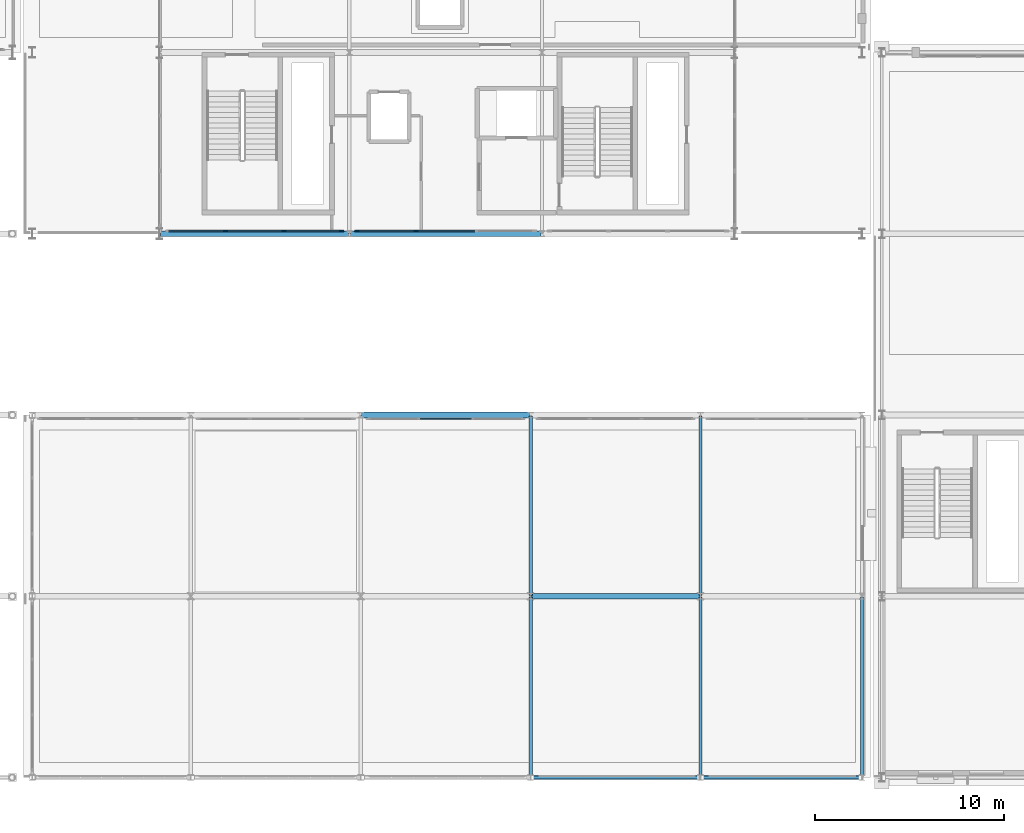
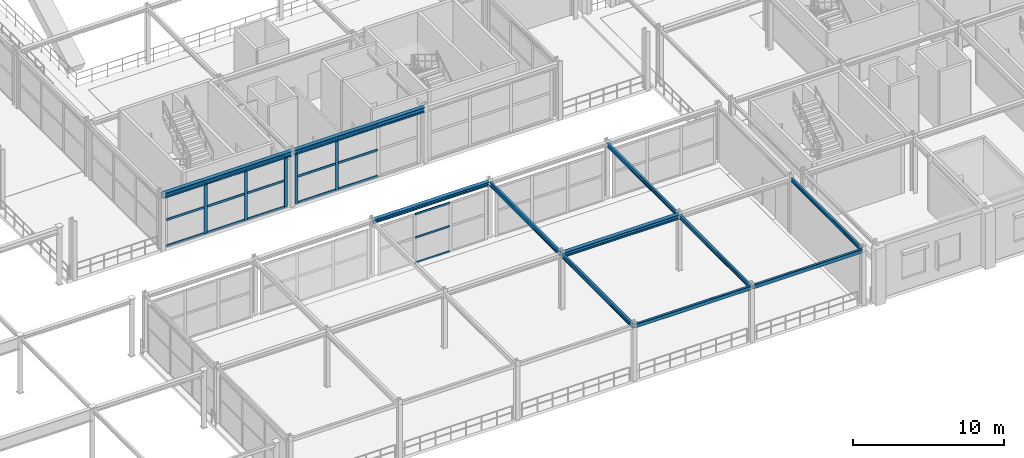
# One storey, part 33 of 125: 23 members, 11 beams, 3 elements without a shape of their own.
"""IFC4 building model written with IfcOpenShell, lengths in metres."""

from ifc_helpers import new_model, si_unit, direction, frame, origin, origin_2d, place, context, subcontext, project, spatial, rectangle, hollow_rectangle, i_section, extrude, material, layer, layer_set, material_profile, profile_set, type_object, element, aggregate, save


model = new_model("IFC4")

# Units and contexts
model_context = context("Model", 3, precision=1e-05, world=origin(), true_north=direction((0.0, 1.0)))
body_context = subcontext(model_context, "Body", "Model", "MODEL_VIEW")
ifc_project = project(units=[si_unit("LENGTHUNIT", "METRE"), si_unit("AREAUNIT", "SQUARE_METRE"), si_unit("VOLUMEUNIT", "CUBIC_METRE"), si_unit("PLANEANGLEUNIT", "RADIAN"), si_unit("MASSUNIT", "GRAM", prefix="KILO")], contexts=[model_context])

# Site, building, storey
site_placement = place(None, origin())
site = spatial("IfcSite", under=ifc_project, at=site_placement, CompositionType="ELEMENT")
building_placement = place(site_placement, origin())
building = spatial("IfcBuilding", under=site, at=building_placement, Name="Myrtia Square Station", CompositionType="ELEMENT")
storey_placement = place(building_placement, frame((0.0, 0.0, 6.0)))
storey = spatial("IfcBuildingStorey", under=building, at=storey_placement, Name="L01", CompositionType="ELEMENT", Elevation=6.0)

# Beams
ifc_material_1 = material(Name="Steel S355", Category="steel")
ifc_material_profile_1 = material_profile(ifc_material_1, i_section(OverallWidth=0.300048828125, OverallDepth=0.300048828125, WebThickness=0.010986328125, FlangeThickness=0.01904296875, FilletRadius=0.027099609375, at=origin_2d()), Name="HEB 300")
ifc_profile_set_1 = profile_set([ifc_material_profile_1], Name="Steel S355")
beam_type_1 = type_object("IfcBeamType", Name="BM-HEB300", PredefinedType="BEAM", material=ifc_profile_set_1)
beam_1_placement = place(storey_placement, frame((90.050048828125, 19.199951171875, 4.385009765625), z_axis=(1.0, 0.0, 0.0), x_axis=(0.0, 1.0, 0.0)))
element("IfcBeam", 1, at=beam_1_placement, inside=storey, type_object=beam_type_1, Name="Structural girder BMX-L01-0588", PredefinedType="BEAM", context=body_context, shape_type="SweptSolid", body=[
    extrude(i_section(OverallWidth=0.300048828125, OverallDepth=0.300048828125, WebThickness=0.010986328125, FlangeThickness=0.01904296875, FilletRadius=0.027099609375, at=origin_2d()), origin(), (0.0, 0.0, 1.0), 8.89990234375),
])
ifc_material_profile_2 = material_profile(ifc_material_1, i_section(OverallWidth=0.300048828125, OverallDepth=0.360107421875, WebThickness=0.012451171875, FlangeThickness=0.0224609375, FilletRadius=0.027099609375, at=origin_2d()), Name="HEB 360")
ifc_profile_set_2 = profile_set([ifc_material_profile_2], Name="Steel S355")
beam_type_2 = type_object("IfcBeamType", Name="BM-HEB360", PredefinedType="BEAM", material=ifc_profile_set_2)
beam_2_placement = place(storey_placement, frame((99.050048828125, 9.60009765625, 4.35498046875), z_axis=(1.0, 0.0, 0.0), x_axis=(0.0, 1.0, 0.0)))
element("IfcBeam", 2, at=beam_2_placement, inside=storey, type_object=beam_type_2, Name="Structural girder BMX-L01-0577", PredefinedType="BEAM", context=body_context, shape_type="SweptSolid", body=[
    extrude(i_section(OverallWidth=0.300048828125, OverallDepth=0.360107421875, WebThickness=0.012451171875, FlangeThickness=0.0224609375, FilletRadius=0.027099609375, at=origin_2d()), origin(), (0.0, 0.0, 1.0), 8.89990234375),
])
ifc_material_profile_3 = material_profile(ifc_material_1, i_section(OverallWidth=0.300048828125, OverallDepth=0.39990234375, WebThickness=0.013427734375, FlangeThickness=0.02392578125, FilletRadius=0.027099609375, at=origin_2d()), Name="HEB 400")
ifc_profile_set_3 = profile_set([ifc_material_profile_3], Name="Steel S355")
beam_type_3 = type_object("IfcBeamType", Name="BM-HEB400", PredefinedType="BEAM", material=ifc_profile_set_3)
beam_3_placement = place(storey_placement, frame((79.39990234375, 28.800048828125, 4.35009765625), z_axis=(1.0, 0.0, 0.0), x_axis=(0.0, 1.0, 0.0)))
element("IfcBeam", 3, at=beam_3_placement, inside=storey, type_object=beam_type_3, Name="Structural girder BMX-L01-0534", PredefinedType="BEAM", context=body_context, shape_type="SweptSolid", body=[
    extrude(i_section(OverallWidth=0.300048828125, OverallDepth=0.39990234375, WebThickness=0.013427734375, FlangeThickness=0.02392578125, FilletRadius=0.027099609375, at=origin_2d()), origin(), (0.0, 0.0, 1.0), 9.9501953125),
])
beam_4_placement = place(storey_placement, frame((89.449951171875, 28.800048828125, 4.35009765625), z_axis=(1.0, 0.0, 0.0), x_axis=(0.0, 1.0, 0.0)))
element("IfcBeam", 4, at=beam_4_placement, inside=storey, type_object=beam_type_3, Name="Structural girder BMX-L01-0535", PredefinedType="BEAM", context=body_context, shape_type="SweptSolid", body=[
    extrude(i_section(OverallWidth=0.300048828125, OverallDepth=0.39990234375, WebThickness=0.013427734375, FlangeThickness=0.02392578125, FilletRadius=0.027099609375, at=origin_2d()), origin(), (0.0, 0.0, 1.0), 10.10009765625),
])
ifc_material_profile_4 = material_profile(ifc_material_1, i_section(OverallWidth=0.14990234375, OverallDepth=0.300048828125, WebThickness=0.007080078125, FlangeThickness=0.0107421875, FilletRadius=0.014892578125, at=origin_2d()), Name="IPE 300")
ifc_profile_set_4 = profile_set([ifc_material_profile_4], Name="Steel S355")
beam_type_4 = type_object("IfcBeamType", Name="BM-IPE300", PredefinedType="BEAM", material=ifc_profile_set_4)
beam_5_placement = place(storey_placement, frame((116.550048828125, 0.050048828125, 4.385009765625), z_axis=(0.0, 1.0, 0.0), x_axis=(-1.0, 0.0, 0.0)))
element("IfcBeam", 5, at=beam_5_placement, inside=storey, type_object=beam_type_4, Name="Structural girder BMY-L01-0610", PredefinedType="BEAM", context=body_context, shape_type="SweptSolid", body=[
    extrude(i_section(OverallWidth=0.14990234375, OverallDepth=0.300048828125, WebThickness=0.007080078125, FlangeThickness=0.0107421875, FilletRadius=0.014892578125, at=origin_2d()), origin(), (0.0, 0.0, 1.0), 9.5),
])
ifc_material_profile_5 = material_profile(ifc_material_1, i_section(OverallWidth=0.159912109375, OverallDepth=0.330078125, WebThickness=0.007568359375, FlangeThickness=0.011474609375, FilletRadius=0.01806640625, at=origin_2d()), Name="IPE 330")
ifc_profile_set_5 = profile_set([ifc_material_profile_5], Name="Steel S355")
beam_type_5 = type_object("IfcBeamType", Name="BM-IPE330", PredefinedType="BEAM", material=ifc_profile_set_5)
for number, where, z_axis, x_axis, name in (
    (6, (108.0, 0.050048828125, 4.3701171875), (0.0, 1.0, 0.0), (-1.0, 0.0, 0.0), "Structural girder BMY-L01-0608"),
    (7, (108.0, 9.64990234375, 4.3701171875), (0.0, 1.0, 0.0), (-1.0, 0.0, 0.0), "Structural girder BMY-L01-0609"),
):
    element("IfcBeam", number, at=place(storey_placement, frame(where, z_axis=z_axis, x_axis=x_axis)), inside=storey, type_object=beam_type_5, Name=name, PredefinedType="BEAM", context=body_context, shape_type="SweptSolid", body=[
        extrude(i_section(OverallWidth=0.159912109375, OverallDepth=0.330078125, WebThickness=0.007568359375, FlangeThickness=0.011474609375, FilletRadius=0.01806640625, at=origin_2d()), origin(), (0.0, 0.0, 1.0), 9.5),
    ])
ifc_material_profile_6 = material_profile(ifc_material_1, i_section(OverallWidth=0.169921875, OverallDepth=0.360107421875, WebThickness=0.008056640625, FlangeThickness=0.0126953125, FilletRadius=0.01806640625, at=origin_2d()), Name="IPE 360")
ifc_profile_set_6 = profile_set([ifc_material_profile_6], Name="Steel S355")
beam_type_6 = type_object("IfcBeamType", Name="BM-IPE360", PredefinedType="BEAM", material=ifc_profile_set_6)
for number, where, z_axis, x_axis, name in (
    (8, (99.0, 0.050048828125, 4.35498046875), (0.0, 1.0, 0.0), (-1.0, 0.0, 0.0), "Structural girder BMY-L01-0606"),
    (9, (99.0, 9.64990234375, 4.35498046875), (0.0, 1.0, 0.0), (-1.0, 0.0, 0.0), "Structural girder BMY-L01-0607"),
):
    element("IfcBeam", number, at=place(storey_placement, frame(where, z_axis=z_axis, x_axis=x_axis)), inside=storey, type_object=beam_type_6, Name=name, PredefinedType="BEAM", context=body_context, shape_type="SweptSolid", body=[
        extrude(i_section(OverallWidth=0.169921875, OverallDepth=0.360107421875, WebThickness=0.008056640625, FlangeThickness=0.0126953125, FilletRadius=0.01806640625, at=origin_2d()), origin(), (0.0, 0.0, 1.0), 9.5),
    ])

# Curtain wall, members
ifc_material_2 = material(Name="Dark bronze anodised aluminium", Category="aluminium")
ifc_layer_1 = layer(ifc_material_2, 0.159912109375, Name="Dark bronze anodised aluminium")
ifc_layer_set_1 = layer_set([ifc_layer_1], Name="Dark bronze anodised aluminium")
curtain_wall_type_1 = type_object("IfcCurtainWallType", Name="CW-TYPE-09-928x415", PredefinedType="USERDEFINED", material=ifc_layer_set_1)
curtain_wall_1_placement = place(storey_placement, origin())
curtain_wall_1 = element("IfcCurtainWall", 10, at=curtain_wall_1_placement, inside=storey, type_object=curtain_wall_type_1, Name="Concourse curtain wall CW-L01-041", ObjectType="CONCOURSE CURTAIN WALL", PredefinedType="USERDEFINED")
ifc_material_profile_7 = material_profile(ifc_material_2, rectangle(XDim=0.074951171875, YDim=0.239990234375, at=origin_2d()), Name="ALU-M 75x240")
ifc_profile_set_7 = profile_set([ifc_material_profile_7], Name="Dark bronze anodised aluminium")
member_type_1 = type_object("IfcMemberType", Name="CWM-75x240", PredefinedType="MULLION", material=ifc_profile_set_7)
member_1_placement = place(storey_placement, frame((82.84326171875, 28.949951171875, 0.0), z_axis=(0.0, 0.0, 1.0), x_axis=(0.0, 1.0, 0.0)))
member_1 = element("IfcMember", 11, at=member_1_placement, type_object=member_type_1, Name="CW-041 mullion 2", PredefinedType="MULLION", context=body_context, shape_type="SweptSolid", body=[
    extrude(rectangle(XDim=0.074951171875, YDim=0.239990234375, at=origin_2d()), origin(), (0.0, 0.0, 1.0), 4.14990234375),
])
member_2_placement = place(storey_placement, frame((85.936767578125, 28.949951171875, 0.0), z_axis=(0.0, 0.0, 1.0), x_axis=(0.0, 1.0, 0.0)))
member_2 = element("IfcMember", 12, at=member_2_placement, type_object=member_type_1, Name="CW-041 mullion 3", PredefinedType="MULLION", context=body_context, shape_type="SweptSolid", body=[
    extrude(rectangle(XDim=0.074951171875, YDim=0.239990234375, at=origin_2d()), origin(), (0.0, 0.0, 1.0), 4.14990234375),
])
member_3_placement = place(storey_placement, frame((88.992431640625, 28.949951171875, 0.0), z_axis=(0.0, 0.0, 1.0), x_axis=(0.0, 1.0, 0.0)))
member_3 = element("IfcMember", 13, at=member_3_placement, type_object=member_type_1, Name="CW-041 mullion 4", PredefinedType="MULLION", context=body_context, shape_type="SweptSolid", body=[
    extrude(rectangle(XDim=0.074951171875, YDim=0.239990234375, at=origin_2d()), origin(), (0.0, 0.0, 1.0), 4.14990234375),
])

ifc_layer_2 = layer(ifc_material_2, 0.159912109375, Name="Dark bronze anodised aluminium")
ifc_layer_set_2 = layer_set([ifc_layer_2], Name="Dark bronze anodised aluminium")
curtain_wall_type_2 = type_object("IfcCurtainWallType", Name="CW-TYPE-10-946x415", PredefinedType="USERDEFINED", material=ifc_layer_set_2)
curtain_wall_2_placement = place(storey_placement, origin())
curtain_wall_2 = element("IfcCurtainWall", 14, at=curtain_wall_2_placement, inside=storey, type_object=curtain_wall_type_2, Name="Concourse curtain wall CW-L01-043", ObjectType="CONCOURSE CURTAIN WALL", PredefinedType="USERDEFINED")
member_4_placement = place(storey_placement, frame((89.8076171875, 28.949951171875, 0.0), z_axis=(0.0, 0.0, 1.0), x_axis=(0.0, 1.0, 0.0)))
member_4 = element("IfcMember", 15, at=member_4_placement, type_object=member_type_1, Name="CW-043 mullion 1", PredefinedType="MULLION", context=body_context, shape_type="SweptSolid", body=[
    extrude(rectangle(XDim=0.074951171875, YDim=0.239990234375, at=origin_2d()), origin(), (0.0, 0.0, 1.0), 4.14990234375),
])
member_5_placement = place(storey_placement, frame((92.92333984375, 28.949951171875, 0.0), z_axis=(0.0, 0.0, 1.0), x_axis=(0.0, 1.0, 0.0)))
member_5 = element("IfcMember", 16, at=member_5_placement, type_object=member_type_1, Name="CW-043 mullion 2", PredefinedType="MULLION", context=body_context, shape_type="SweptSolid", body=[
    extrude(rectangle(XDim=0.074951171875, YDim=0.239990234375, at=origin_2d()), origin(), (0.0, 0.0, 1.0), 4.14990234375),
])

ifc_layer_3 = layer(ifc_material_2, 0.159912109375, Name="Dark bronze anodised aluminium")
ifc_layer_set_3 = layer_set([ifc_layer_3], Name="Dark bronze anodised aluminium")
curtain_wall_type_3 = type_object("IfcCurtainWallType", Name="CW-TYPE-32-826x400", PredefinedType="USERDEFINED", material=ifc_layer_set_3)
curtain_wall_3_placement = place(storey_placement, origin())
curtain_wall_3 = element("IfcCurtainWall", 17, at=curtain_wall_3_placement, inside=storey, type_object=curtain_wall_type_3, Name="Concourse curtain wall CW-L01-107", ObjectType="CONCOURSE CURTAIN WALL", PredefinedType="USERDEFINED")
ifc_material_profile_8 = material_profile(ifc_material_2, rectangle(XDim=0.06494140625, YDim=0.14990234375, at=origin_2d()), Name="ALU-T 65x150")
ifc_profile_set_8 = profile_set([ifc_material_profile_8], Name="Dark bronze anodised aluminium")
member_type_2 = type_object("IfcMemberType", Name="CWT-65x150", PredefinedType="USERDEFINED", material=ifc_profile_set_8)
member_6_placement = place(storey_placement, frame((93.15576171875, 19.0, 0.032470703125), z_axis=(1.0, 0.0, 0.0), x_axis=(0.0, 1.0, 0.0)))
member_6 = element("IfcMember", 18, at=member_6_placement, type_object=member_type_2, Name="CW-107 transom 2.1", ObjectType="TRANSOM", PredefinedType="USERDEFINED", context=body_context, shape_type="SweptSolid", body=[
    extrude(rectangle(XDim=0.06494140625, YDim=0.14990234375, at=origin_2d()), origin(), (0.0, 0.0, 1.0), 2.6884765625),
])
member_7_placement = place(storey_placement, frame((93.15576171875, 19.0, 2.080078125), z_axis=(1.0, 0.0, 0.0), x_axis=(0.0, 1.0, 0.0)))
member_7 = element("IfcMember", 19, at=member_7_placement, type_object=member_type_2, Name="CW-107 transom 2.2", ObjectType="TRANSOM", PredefinedType="USERDEFINED", context=body_context, shape_type="SweptSolid", body=[
    extrude(rectangle(XDim=0.06494140625, YDim=0.14990234375, at=origin_2d()), origin(), (0.0, 0.0, 1.0), 2.6884765625),
])
member_8_placement = place(storey_placement, frame((93.15576171875, 19.0, 3.967529296875), z_axis=(1.0, 0.0, 0.0), x_axis=(0.0, 1.0, 0.0)))
member_8 = element("IfcMember", 20, at=member_8_placement, type_object=member_type_2, Name="CW-107 transom 2.3", ObjectType="TRANSOM", PredefinedType="USERDEFINED", context=body_context, shape_type="SweptSolid", body=[
    extrude(rectangle(XDim=0.06494140625, YDim=0.14990234375, at=origin_2d()), origin(), (0.0, 0.0, 1.0), 2.6884765625),
])
aggregate(curtain_wall_3, [member_6, member_7, member_8])

# Member
ifc_material_profile_9 = material_profile(ifc_material_2, rectangle(XDim=0.074951171875, YDim=0.179931640625, at=origin_2d()), Name="ALU-T 75x180")
ifc_profile_set_9 = profile_set([ifc_material_profile_9], Name="Dark bronze anodised aluminium")
member_type_3 = type_object("IfcMemberType", Name="CWT-75x180", PredefinedType="USERDEFINED", material=ifc_profile_set_9)
member_9_placement = place(storey_placement, frame((79.824951171875, 28.949951171875, 0.03759765625), z_axis=(1.0, 0.0, 0.0), x_axis=(0.0, 1.0, 0.0)))
member_9 = element("IfcMember", 21, at=member_9_placement, type_object=member_type_3, Name="CW-041 transom 1.1", ObjectType="TRANSOM", PredefinedType="USERDEFINED", context=body_context, shape_type="SweptSolid", body=[
    extrude(rectangle(XDim=0.074951171875, YDim=0.179931640625, at=origin_2d()), origin(), (0.0, 0.0, 1.0), 2.98095703125),
])

member_10_placement = place(storey_placement, frame((79.824951171875, 28.949951171875, 2.157958984375), z_axis=(1.0, 0.0, 0.0), x_axis=(0.0, 1.0, 0.0)))
member_10 = element("IfcMember", 22, at=member_10_placement, type_object=member_type_3, Name="CW-041 transom 1.2", ObjectType="TRANSOM", PredefinedType="USERDEFINED", context=body_context, shape_type="SweptSolid", body=[
    extrude(rectangle(XDim=0.074951171875, YDim=0.179931640625, at=origin_2d()), origin(), (0.0, 0.0, 1.0), 2.98095703125),
])

member_11_placement = place(storey_placement, frame((79.824951171875, 28.949951171875, 4.112548828125), z_axis=(1.0, 0.0, 0.0), x_axis=(0.0, 1.0, 0.0)))
member_11 = element("IfcMember", 23, at=member_11_placement, type_object=member_type_3, Name="CW-041 transom 1.3", ObjectType="TRANSOM", PredefinedType="USERDEFINED", context=body_context, shape_type="SweptSolid", body=[
    extrude(rectangle(XDim=0.074951171875, YDim=0.179931640625, at=origin_2d()), origin(), (0.0, 0.0, 1.0), 2.98095703125),
])

member_12_placement = place(storey_placement, frame((82.880859375, 28.949951171875, 0.03759765625), z_axis=(1.0, 0.0, 0.0), x_axis=(0.0, 1.0, 0.0)))
member_12 = element("IfcMember", 24, at=member_12_placement, type_object=member_type_3, Name="CW-041 transom 2.1", ObjectType="TRANSOM", PredefinedType="USERDEFINED", context=body_context, shape_type="SweptSolid", body=[
    extrude(rectangle(XDim=0.074951171875, YDim=0.179931640625, at=origin_2d()), origin(), (0.0, 0.0, 1.0), 3.018310546875),
])

member_13_placement = place(storey_placement, frame((82.880859375, 28.949951171875, 2.157958984375), z_axis=(1.0, 0.0, 0.0), x_axis=(0.0, 1.0, 0.0)))
member_13 = element("IfcMember", 25, at=member_13_placement, type_object=member_type_3, Name="CW-041 transom 2.2", ObjectType="TRANSOM", PredefinedType="USERDEFINED", context=body_context, shape_type="SweptSolid", body=[
    extrude(rectangle(XDim=0.074951171875, YDim=0.179931640625, at=origin_2d()), origin(), (0.0, 0.0, 1.0), 3.018310546875),
])

member_14_placement = place(storey_placement, frame((82.880859375, 28.949951171875, 4.112548828125), z_axis=(1.0, 0.0, 0.0), x_axis=(0.0, 1.0, 0.0)))
member_14 = element("IfcMember", 26, at=member_14_placement, type_object=member_type_3, Name="CW-041 transom 2.3", ObjectType="TRANSOM", PredefinedType="USERDEFINED", context=body_context, shape_type="SweptSolid", body=[
    extrude(rectangle(XDim=0.074951171875, YDim=0.179931640625, at=origin_2d()), origin(), (0.0, 0.0, 1.0), 3.018310546875),
])

member_15_placement = place(storey_placement, frame((85.97412109375, 28.949951171875, 0.03759765625), z_axis=(1.0, 0.0, 0.0), x_axis=(0.0, 1.0, 0.0)))
member_15 = element("IfcMember", 27, at=member_15_placement, type_object=member_type_3, Name="CW-041 transom 3.1", ObjectType="TRANSOM", PredefinedType="USERDEFINED", context=body_context, shape_type="SweptSolid", body=[
    extrude(rectangle(XDim=0.074951171875, YDim=0.179931640625, at=origin_2d()), origin(), (0.0, 0.0, 1.0), 2.98095703125),
])

member_16_placement = place(storey_placement, frame((85.97412109375, 28.949951171875, 2.157958984375), z_axis=(1.0, 0.0, 0.0), x_axis=(0.0, 1.0, 0.0)))
member_16 = element("IfcMember", 28, at=member_16_placement, type_object=member_type_3, Name="CW-041 transom 3.2", ObjectType="TRANSOM", PredefinedType="USERDEFINED", context=body_context, shape_type="SweptSolid", body=[
    extrude(rectangle(XDim=0.074951171875, YDim=0.179931640625, at=origin_2d()), origin(), (0.0, 0.0, 1.0), 2.98095703125),
])

member_17_placement = place(storey_placement, frame((85.97412109375, 28.949951171875, 4.112548828125), z_axis=(1.0, 0.0, 0.0), x_axis=(0.0, 1.0, 0.0)))
member_17 = element("IfcMember", 29, at=member_17_placement, type_object=member_type_3, Name="CW-041 transom 3.3", ObjectType="TRANSOM", PredefinedType="USERDEFINED", context=body_context, shape_type="SweptSolid", body=[
    extrude(rectangle(XDim=0.074951171875, YDim=0.179931640625, at=origin_2d()), origin(), (0.0, 0.0, 1.0), 2.98095703125),
])

aggregate(curtain_wall_1, [member_1, member_2, member_3, member_9, member_10, member_11, member_12, member_13, member_14, member_15, member_16, member_17])

member_18_placement = place(storey_placement, frame((89.844970703125, 28.949951171875, 0.03759765625), z_axis=(1.0, 0.0, 0.0), x_axis=(0.0, 1.0, 0.0)))
member_18 = element("IfcMember", 30, at=member_18_placement, type_object=member_type_3, Name="CW-043 transom 1.1", ObjectType="TRANSOM", PredefinedType="USERDEFINED", context=body_context, shape_type="SweptSolid", body=[
    extrude(rectangle(XDim=0.074951171875, YDim=0.179931640625, at=origin_2d()), origin(), (0.0, 0.0, 1.0), 3.040771484375),
])

member_19_placement = place(storey_placement, frame((89.844970703125, 28.949951171875, 2.157958984375), z_axis=(1.0, 0.0, 0.0), x_axis=(0.0, 1.0, 0.0)))
member_19 = element("IfcMember", 31, at=member_19_placement, type_object=member_type_3, Name="CW-043 transom 1.2", ObjectType="TRANSOM", PredefinedType="USERDEFINED", context=body_context, shape_type="SweptSolid", body=[
    extrude(rectangle(XDim=0.074951171875, YDim=0.179931640625, at=origin_2d()), origin(), (0.0, 0.0, 1.0), 3.040771484375),
])

member_20_placement = place(storey_placement, frame((89.844970703125, 28.949951171875, 4.112548828125), z_axis=(1.0, 0.0, 0.0), x_axis=(0.0, 1.0, 0.0)))
member_20 = element("IfcMember", 32, at=member_20_placement, type_object=member_type_3, Name="CW-043 transom 1.3", ObjectType="TRANSOM", PredefinedType="USERDEFINED", context=body_context, shape_type="SweptSolid", body=[
    extrude(rectangle(XDim=0.074951171875, YDim=0.179931640625, at=origin_2d()), origin(), (0.0, 0.0, 1.0), 3.040771484375),
])

member_21_placement = place(storey_placement, frame((92.9609375, 28.949951171875, 0.03759765625), z_axis=(1.0, 0.0, 0.0), x_axis=(0.0, 1.0, 0.0)))
member_21 = element("IfcMember", 33, at=member_21_placement, type_object=member_type_3, Name="CW-043 transom 2.1", ObjectType="TRANSOM", PredefinedType="USERDEFINED", context=body_context, shape_type="SweptSolid", body=[
    extrude(rectangle(XDim=0.074951171875, YDim=0.179931640625, at=origin_2d()), origin(), (0.0, 0.0, 1.0), 3.078125),
])

member_22_placement = place(storey_placement, frame((92.9609375, 28.949951171875, 2.157958984375), z_axis=(1.0, 0.0, 0.0), x_axis=(0.0, 1.0, 0.0)))
member_22 = element("IfcMember", 34, at=member_22_placement, type_object=member_type_3, Name="CW-043 transom 2.2", ObjectType="TRANSOM", PredefinedType="USERDEFINED", context=body_context, shape_type="SweptSolid", body=[
    extrude(rectangle(XDim=0.074951171875, YDim=0.179931640625, at=origin_2d()), origin(), (0.0, 0.0, 1.0), 3.078125),
])

member_23_placement = place(storey_placement, frame((92.9609375, 28.949951171875, 4.112548828125), z_axis=(1.0, 0.0, 0.0), x_axis=(0.0, 1.0, 0.0)))
member_23 = element("IfcMember", 35, at=member_23_placement, type_object=member_type_3, Name="CW-043 transom 2.3", ObjectType="TRANSOM", PredefinedType="USERDEFINED", context=body_context, shape_type="SweptSolid", body=[
    extrude(rectangle(XDim=0.074951171875, YDim=0.179931640625, at=origin_2d()), origin(), (0.0, 0.0, 1.0), 3.078125),
])

aggregate(curtain_wall_2, [member_4, member_5, member_18, member_19, member_20, member_21, member_22, member_23])

# Beams
ifc_material_profile_10 = material_profile(ifc_material_1, hollow_rectangle(XDim=0.199951171875, YDim=0.300048828125, WallThickness=0.01611328125, InnerFilletRadius=0.01611328125, OuterFilletRadius=0.031982421875, at=origin_2d()), Name="RHS 300x200x16")
ifc_profile_set_10 = profile_set([ifc_material_profile_10], Name="Steel S355")
beam_type_7 = type_object("IfcBeamType", Name="SPN-RHS300", PredefinedType="SPANDREL", material=ifc_profile_set_10)
beam_6_placement = place(storey_placement, frame((99.050048828125, 0.0, 4.385009765625), z_axis=(1.0, 0.0, 0.0), x_axis=(0.0, 1.0, 0.0)))
element("IfcBeam", 36, at=beam_6_placement, inside=storey, type_object=beam_type_7, Name="Structural girder SPN-L01-0154", PredefinedType="SPANDREL", context=body_context, shape_type="SweptSolid", body=[
    extrude(hollow_rectangle(XDim=0.199951171875, YDim=0.300048828125, WallThickness=0.01611328125, InnerFilletRadius=0.01611328125, OuterFilletRadius=0.031982421875, at=origin_2d()), origin(), (0.0, 0.0, 1.0), 8.89990234375),
])
beam_7_placement = place(storey_placement, frame((108.050048828125, 0.0, 4.385009765625), z_axis=(1.0, 0.0, 0.0), x_axis=(0.0, 1.0, 0.0)))
element("IfcBeam", 37, at=beam_7_placement, inside=storey, type_object=beam_type_7, Name="Structural girder SPN-L01-0155", PredefinedType="SPANDREL", context=body_context, shape_type="SweptSolid", body=[
    extrude(hollow_rectangle(XDim=0.199951171875, YDim=0.300048828125, WallThickness=0.01611328125, InnerFilletRadius=0.01611328125, OuterFilletRadius=0.031982421875, at=origin_2d()), origin(), (0.0, 0.0, 1.0), 8.449951171875),
])

save(model, "model.ifc")
